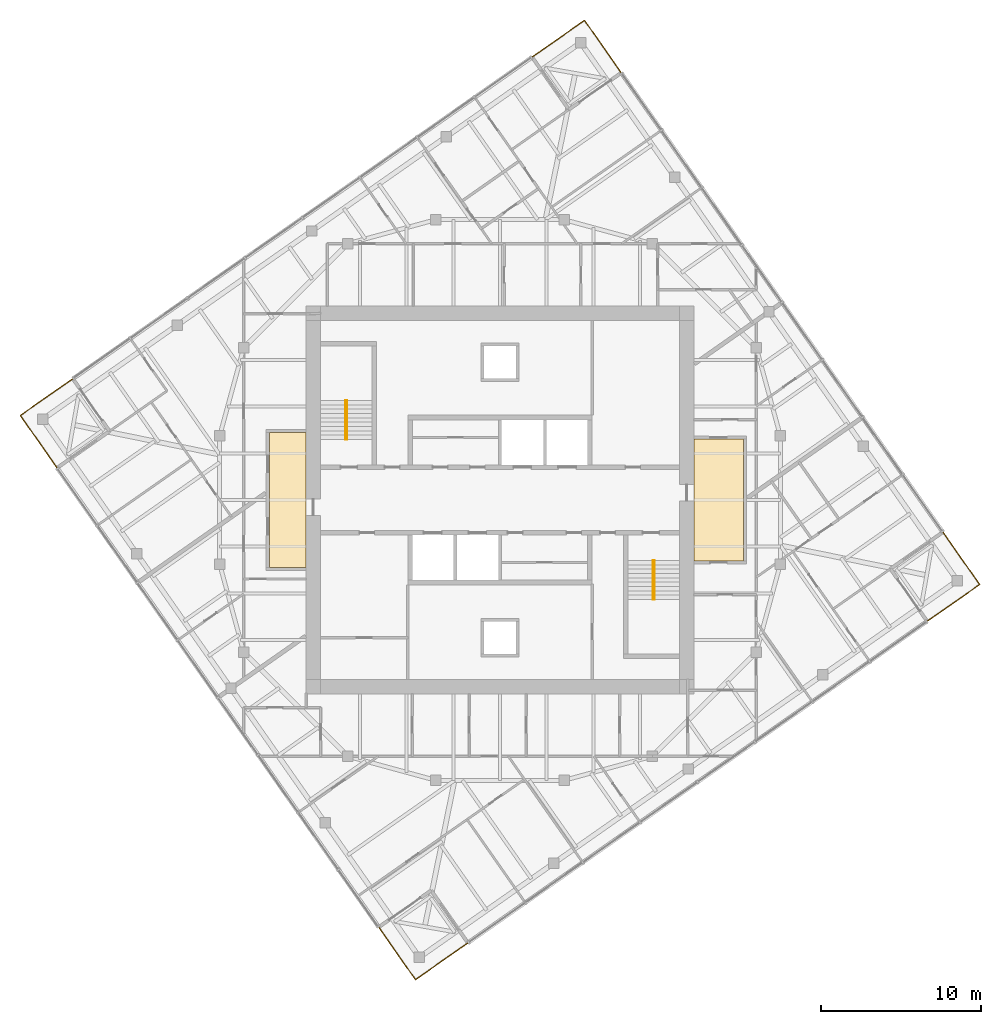
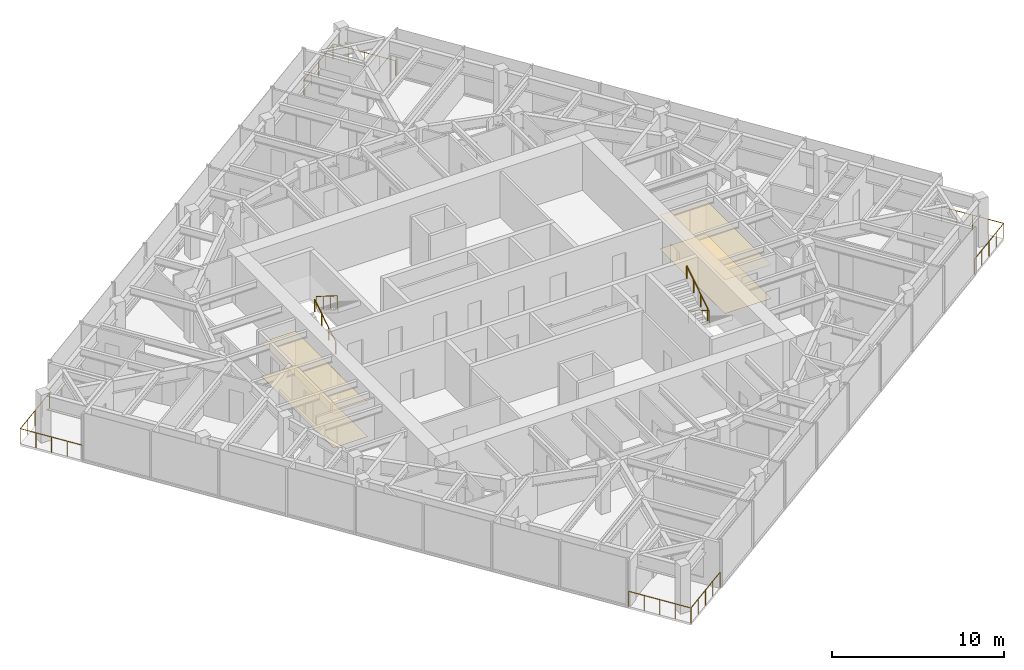
# One storey, part 12 of 12: 8 railings, 4 coverings, 2 elements without a shape of their own.
"""IFC4 building model written with IfcOpenShell, lengths in metres."""

import ifcopenshell
import ifcopenshell.guid

model = None  # the IFC model being written
_history = None  # IfcOwnerHistory: only IFC2X3 demands one
_inside = {}  # id of a spatial element -> (the spatial element, [elements in it])
_under = {}  # id of a project, library or spatial element -> (it, [spatial elements below it])
_declared = {}  # id of a project -> (the project, [libraries it declares])
_typed = {}  # id of a type object -> (the type object, [elements of that type])
_made_of = {}  # id of a material, layer set ... -> (it, [elements and type objects made of it])


def new_model(schema):
    """Start an empty IFC model of exactly this schema.

    Asked for "IFC4X3", IfcOpenShell would pick the latest addendum, in which some entities
    have other attributes; the version numbers below select the first issue.
    IFC2X3 requires an IfcOwnerHistory on every rooted entity: one is made here for all.
    """
    global model, _history
    if schema == "IFC4X3":
        model = ifcopenshell.file(schema_version=(4, 3, 0, 0))
    else:
        model = ifcopenshell.file(schema=schema)
    _inside.clear()
    _under.clear()
    _declared.clear()
    _typed.clear()
    _made_of.clear()
    _history = None
    if model.schema == "IFC2X3":
        org = make("IfcOrganization", Name="unknown")
        user = make(
            "IfcPersonAndOrganization",
            ThePerson=make("IfcPerson", FamilyName="unknown"),
            TheOrganization=org,
        )
        app = make(
            "IfcApplication",
            ApplicationDeveloper=org,
            Version="unknown",
            ApplicationFullName="unknown",
            ApplicationIdentifier="unknown",
        )
        _history = make(
            "IfcOwnerHistory",
            OwningUser=user,
            OwningApplication=app,
            ChangeAction="ADDED",
            CreationDate=0,
        )
    return model


def make(cls, **values):
    """One entity of the class cls with the attributes given. An attribute that is None is left unset."""
    return model.create_entity(
        cls, **{name: value for name, value in values.items() if value is not None}
    )


def rooted(cls, **values):
    """An entity with a GlobalId (a new one), such as an element, a storey or a relation."""
    return make(cls, GlobalId=ifcopenshell.guid.new(), OwnerHistory=_history, **values)


def si_unit(unit_type, name, prefix=None):
    """IfcSIUnit, for example si_unit("LENGTHUNIT", "METRE", prefix="MILLI")."""
    return make("IfcSIUnit", UnitType=unit_type, Prefix=prefix, Name=name)


def assignment(units):
    """IfcUnitAssignment: the units of a project."""
    return None if units is None else make("IfcUnitAssignment", Units=units)


def point(xyz):
    """IfcCartesianPoint."""
    return None if xyz is None else make("IfcCartesianPoint", Coordinates=xyz)


def direction(xyz):
    """IfcDirection."""
    return None if xyz is None else make("IfcDirection", DirectionRatios=xyz)


def frame(location, z_axis=None, x_axis=None):
    """IfcAxis2Placement3D, a coordinate frame: its origin and axes. An axis left out is left unset."""
    return make(
        "IfcAxis2Placement3D",
        Location=point(location),
        Axis=direction(z_axis),
        RefDirection=direction(x_axis),
    )


def frame_2d(location, x_axis=None):
    """IfcAxis2Placement2D, a coordinate frame in the plane: its origin and x axis."""
    return make(
        "IfcAxis2Placement2D", Location=point(location), RefDirection=direction(x_axis)
    )


def origin():
    """The frame at (0, 0, 0) with its axes left unset."""
    return frame((0.0, 0.0, 0.0))


def origin_2d():
    """The frame at (0, 0) in the plane with its x axis left unset."""
    return frame_2d((0.0, 0.0))


def place(relative_to, where):
    """IfcLocalPlacement: puts the frame where relative to a parent placement (None: the world)."""
    return make(
        "IfcLocalPlacement", PlacementRelTo=relative_to, RelativePlacement=where
    )


def context(
    kind, dimensions, precision=None, world=None, true_north=None, identifier=None
):
    """IfcGeometricRepresentationContext, for example the 3D "Model" context."""
    return make(
        "IfcGeometricRepresentationContext",
        ContextIdentifier=identifier,
        ContextType=kind,
        CoordinateSpaceDimension=dimensions,
        Precision=precision,
        WorldCoordinateSystem=world,
        TrueNorth=true_north,
    )


def subcontext(parent, identifier, kind, view, scale=None):
    """IfcGeometricRepresentationSubContext, for example "Body" below "Model"."""
    return make(
        "IfcGeometricRepresentationSubContext",
        ContextIdentifier=identifier,
        ContextType=kind,
        ParentContext=parent,
        TargetScale=scale,
        TargetView=view,
    )


def project(units=None, contexts=None):
    """IfcProject with its units and contexts."""
    return rooted(
        "IfcProject",
        Name="project",
        RepresentationContexts=contexts,
        UnitsInContext=assignment(units),
    )


def spatial(cls, under=None, at=None, **own):
    """A site, building, storey or space (cls), placed at a placement, below another one or the project."""
    s = rooted(cls, ObjectPlacement=at, **own)
    if under is not None:
        _under.setdefault(under.id(), (under, []))[1].append(s)
    return s


def polyline(points):
    """IfcPolyline through the points."""
    return make("IfcPolyline", Points=[point(p) for p in points])


def profile(cls, at=None, kind="AREA", **sizes):
    """A parametric profile (cls). Its sizes go by their IFC names, for example OverallWidth=200.0."""
    return make(cls, ProfileType=kind, Position=at, **sizes)


def circle(**sizes):
    """IfcCircleProfileDef."""
    return profile("IfcCircleProfileDef", **sizes)


def outline(outer, holes=None, kind="AREA"):
    """IfcArbitraryClosedProfileDef: a profile drawn as a closed curve; with holes, ...WithVoids."""
    if holes is None:
        return make("IfcArbitraryClosedProfileDef", ProfileType=kind, OuterCurve=outer)
    return make(
        "IfcArbitraryProfileDefWithVoids",
        ProfileType=kind,
        OuterCurve=outer,
        InnerCurves=holes,
    )


def extrude(swept, where, along, depth):
    """IfcExtrudedAreaSolid: the profile swept, set in the frame where, extruded along a direction by depth."""
    return make(
        "IfcExtrudedAreaSolid",
        SweptArea=swept,
        Position=where,
        ExtrudedDirection=direction(along),
        Depth=depth,
    )


def shape(context_of_items, identifier, shape_type, items):
    """IfcShapeRepresentation: the items that make up one representation, for example the "Body"."""
    return make(
        "IfcShapeRepresentation",
        ContextOfItems=context_of_items,
        RepresentationIdentifier=identifier,
        RepresentationType=shape_type,
        Items=items,
    )


def material(Name=None, Category=None):
    """IfcMaterial."""
    return make("IfcMaterial", Name=Name, Category=Category)


def layer(
    of_material, thickness, ventilated=None, Name=None, Category=None, Priority=None
):
    """IfcMaterialLayer: one layer of a wall or slab, of a material (None: an air gap)."""
    return make(
        "IfcMaterialLayer",
        Material=of_material,
        LayerThickness=thickness,
        IsVentilated=ventilated,
        Name=Name,
        Category=Category,
        Priority=Priority,
    )


def layer_set(layers, Name=None):
    """IfcMaterialLayerSet."""
    return make("IfcMaterialLayerSet", MaterialLayers=layers, LayerSetName=Name)


def made_of(thing, what):
    """Note that an element or type object is made of a material, layer set ...; save() writes the relation."""
    if what is not None:
        _made_of.setdefault(what.id(), (what, []))[1].append(thing)
    return thing


def type_object(cls, material=None, **own):
    """A type object (cls), such as IfcWallType, which elements share."""
    return made_of(rooted(cls, **own), material)


def element(
    cls,
    number,
    at=None,
    inside=None,
    cuts=None,
    type_object=None,
    material=None,
    context=None,
    identifier="Body",
    shape_type=None,
    held_by="IfcProductDefinitionShape",
    body=None,
    shapes=None,
    **own,
):
    """One element of the class cls, such as IfcWall. Its Tag is "e" and its number.

    at: its placement. inside: the storey or other place that contains it. cuts: it is an
    opening in that element (IfcRelVoidsElement). A single representation is given by context,
    identifier, shape_type and body (its items); several are given by shapes. held_by: the class
    of the entity that holds the representations. save() writes the other relations.
    """
    e = rooted(cls, Tag="e%d" % number, ObjectPlacement=at, **own)
    if body is not None:
        shapes = [shape(context, identifier, shape_type, body)]
    if shapes is not None:
        e.Representation = make(held_by, Representations=shapes)
    if inside is not None:
        _inside.setdefault(inside.id(), (inside, []))[1].append(e)
    if cuts is not None:
        rooted(
            "IfcRelVoidsElement", RelatingBuildingElement=cuts, RelatedOpeningElement=e
        )
    if type_object is not None:
        _typed.setdefault(type_object.id(), (type_object, []))[1].append(e)
    return made_of(e, material)


def aggregate(whole, parts):
    """IfcRelAggregates: a whole, such as a stair, and the parts it consists of."""
    return rooted("IfcRelAggregates", RelatingObject=whole, RelatedObjects=parts)


def save(model, path):
    """Write the relations noted so far, then the file.

    IfcRelAggregates (storeys below a building ...), IfcRelContainedInSpatialStructure (elements
    in a storey), IfcRelDefinesByType, IfcRelAssociatesMaterial and IfcRelDeclares: one each for
    every whole, place, type object, material and project.
    """
    for whole, parts in _under.values():
        aggregate(whole, parts)
    for where, things in _inside.values():
        rooted(
            "IfcRelContainedInSpatialStructure",
            RelatedElements=things,
            RelatingStructure=where,
        )
    for kind, things in _typed.values():
        rooted("IfcRelDefinesByType", RelatedObjects=things, RelatingType=kind)
    for what, things in _made_of.values():
        rooted("IfcRelAssociatesMaterial", RelatedObjects=things, RelatingMaterial=what)
    for by, libraries in _declared.values():
        rooted("IfcRelDeclares", RelatingContext=by, RelatedDefinitions=libraries)
    model.write(path)


model = new_model("IFC4")

# Units and contexts
model_context = context("Model", 3, precision=1e-05, world=origin(), true_north=direction((0.0, 1.0)))
body_context = subcontext(model_context, "Body", "Model", "MODEL_VIEW")
ifc_project = project(units=[si_unit("LENGTHUNIT", "METRE"), si_unit("AREAUNIT", "SQUARE_METRE"), si_unit("VOLUMEUNIT", "CUBIC_METRE"), si_unit("PLANEANGLEUNIT", "RADIAN"), si_unit("MASSUNIT", "GRAM", prefix="KILO")], contexts=[model_context])

# Site, building, storey
site_placement = place(None, origin())
site = spatial("IfcSite", under=ifc_project, at=site_placement, CompositionType="ELEMENT")
building_placement = place(site_placement, origin())
building = spatial("IfcBuilding", under=site, at=building_placement, Name="Torsade Residences", CompositionType="ELEMENT")
storey_placement = place(building_placement, frame((0.0, 0.0, 257.39990234375)))
storey = spatial("IfcBuildingStorey", under=building, at=storey_placement, Name="L71", CompositionType="ELEMENT", Elevation=257.39990234375)

# Coverings
ifc_material_1 = material(Name="Nylon carpet tile on underlay", Category="textile")
ifc_layer_1 = layer(ifc_material_1, 0.010009765625)
ifc_layer_set_1 = layer_set([ifc_layer_1], Name="Nylon carpet tile on underlay")
covering_type_1 = type_object("IfcCoveringType", Name="CORRIDOR CARPET TILE 10", PredefinedType="FLOORING", material=ifc_layer_set_1)
covering_1_placement = place(storey_placement, origin())
element("IfcCovering", 1, at=covering_1_placement, inside=storey, type_object=covering_type_1, Name="Corridor carpet L71", PredefinedType="FLOORING", context=body_context, shape_type="SweptSolid", body=[
    extrude(outline(polyline([(55.199951171875, 26.199951171875), (55.199951171875, 33.800048828125), (52.10009765625, 33.800048828125), (52.10009765625, 26.199951171875), (55.199951171875, 26.199951171875)])), origin(), (0.0, 0.0, 1.0), 0.010009765625),
])
covering_2_placement = place(storey_placement, origin())
element("IfcCovering", 2, at=covering_2_placement, inside=storey, type_object=covering_type_1, Name="Corridor carpet west L71", PredefinedType="FLOORING", context=body_context, shape_type="SweptSolid", body=[
    extrude(outline(polyline([(27.89990234375, 25.800048828125), (27.89990234375, 34.199951171875), (25.60009765625, 34.199951171875), (25.60009765625, 25.800048828125), (27.89990234375, 25.800048828125)])), origin(), (0.0, 0.0, 1.0), 0.010009765625),
])
ifc_material_2 = material(Name="Plasterboard on suspended steel grid", Category="steel")
ifc_layer_2 = layer(ifc_material_2, 0.012939453125)
ifc_layer_set_2 = layer_set([ifc_layer_2], Name="Plasterboard on suspended steel grid")
covering_type_2 = type_object("IfcCoveringType", Name="CORRIDOR SUSPENDED CEILING 13", PredefinedType="CEILING", material=ifc_layer_set_2)
covering_3_placement = place(storey_placement, frame((0.0, 0.0, 2.400146484375)))
element("IfcCovering", 3, at=covering_3_placement, inside=storey, type_object=covering_type_2, Name="Corridor ceiling L71", PredefinedType="CEILING", context=body_context, shape_type="SweptSolid", body=[
    extrude(outline(polyline([(55.199951171875, 26.199951171875), (55.199951171875, 33.800048828125), (52.10009765625, 33.800048828125), (52.10009765625, 26.199951171875), (55.199951171875, 26.199951171875)])), origin(), (0.0, 0.0, 1.0), 0.012939453125),
])
covering_4_placement = place(storey_placement, frame((0.0, 0.0, 2.400146484375)))
element("IfcCovering", 4, at=covering_4_placement, inside=storey, type_object=covering_type_2, Name="Corridor ceiling west L71", PredefinedType="CEILING", context=body_context, shape_type="SweptSolid", body=[
    extrude(outline(polyline([(27.89990234375, 25.800048828125), (27.89990234375, 34.199951171875), (25.60009765625, 34.199951171875), (25.60009765625, 25.800048828125), (27.89990234375, 25.800048828125)])), origin(), (0.0, 0.0, 1.0), 0.012939453125),
])

# Stair, railings
ifc_material_3 = material(Name="Precast concrete 40 MPa", Category="concrete")
stair_type = type_object("IfcStairType", Name="HALF-TURN FIRE STAIR 1500x3400", PredefinedType="HALF_TURN_STAIR", material=ifc_material_3)
stair_1_placement = place(storey_placement, origin())
stair_1 = element("IfcStair", 5, at=stair_1_placement, inside=storey, type_object=stair_type, Name="Stair ST1 L71", PredefinedType="HALF_TURN_STAIR")
ifc_material_4 = material(Name="Steel handrail", Category="steel")
railing_type_1 = type_object("IfcRailingType", Name="STAIR HANDRAIL 900", PredefinedType="HANDRAIL", material=ifc_material_4)
railing_1_placement = place(storey_placement, frame((30.35009765625, 33.780029296875, 0.170166015625)))
railing_1 = element("IfcRailing", 6, at=railing_1_placement, type_object=railing_type_1, Name="Handrail ST1 flight 1 L71", PredefinedType="HANDRAIL", context=body_context, shape_type="SweptSolid", body=[
    extrude(circle(Radius=0.02392578125, at=origin_2d()), frame((0.0, 0.0, 0.8759765625), z_axis=(0.0, 0.846221481393, 0.532831309544), x_axis=(-1.0, 0.0, 0.0)), (0.0, 0.0, 1.0), 2.87158203125),
    extrude(circle(Radius=0.02099609375, at=origin_2d()), origin(), (0.0, 0.0, 1.0), 0.851806640625),
    extrude(circle(Radius=0.02099609375, at=origin_2d()), frame((0.0, 0.81005859375, 0.510009765625)), (0.0, 0.0, 1.0), 0.851806640625),
    extrude(circle(Radius=0.02099609375, at=origin_2d()), frame((0.0, 1.619873046875, 1.02001953125)), (0.0, 0.0, 1.0), 0.851806640625),
    extrude(circle(Radius=0.02099609375, at=origin_2d()), frame((0.0, 2.429931640625, 1.530029296875)), (0.0, 0.0, 1.0), 0.851806640625),
])
railing_2_placement = place(storey_placement, frame((30.449951171875, 36.2099609375, 1.8701171875)))
railing_2 = element("IfcRailing", 7, at=railing_2_placement, type_object=railing_type_1, Name="Handrail ST1 flight 2 L71", PredefinedType="HANDRAIL", context=body_context, shape_type="SweptSolid", body=[
    extrude(circle(Radius=0.02392578125, at=origin_2d()), frame((0.0, 0.0, 0.8759765625), z_axis=(0.0, -0.846221481393, 0.532831309544), x_axis=(1.0, 0.0, 0.0)), (0.0, 0.0, 1.0), 2.87158203125),
    extrude(circle(Radius=0.02099609375, at=origin_2d()), origin(), (0.0, 0.0, 1.0), 0.851806640625),
    extrude(circle(Radius=0.02099609375, at=origin_2d()), frame((0.0, -0.81005859375, 0.510009765625)), (0.0, 0.0, 1.0), 0.851806640625),
    extrude(circle(Radius=0.02099609375, at=origin_2d()), frame((0.0, -1.619873046875, 1.02001953125)), (0.0, 0.0, 1.0), 0.851806640625),
    extrude(circle(Radius=0.02099609375, at=origin_2d()), frame((0.0, -2.429931640625, 1.530029296875)), (0.0, 0.0, 1.0), 0.851806640625),
])
aggregate(stair_1, [railing_1, railing_2])

stair_2_placement = place(storey_placement, origin())
stair_2 = element("IfcStair", 8, at=stair_2_placement, inside=storey, type_object=stair_type, Name="Stair ST2 L71", PredefinedType="HALF_TURN_STAIR")
railing_3_placement = place(storey_placement, frame((49.64990234375, 26.219970703125, 0.170166015625)))
railing_3 = element("IfcRailing", 9, at=railing_3_placement, type_object=railing_type_1, Name="Handrail ST2 flight 1 L71", PredefinedType="HANDRAIL", context=body_context, shape_type="SweptSolid", body=[
    extrude(circle(Radius=0.02392578125, at=origin_2d()), frame((0.0, 0.0, 0.8759765625), z_axis=(0.0, -0.846221481393, 0.532831309544), x_axis=(1.0, 0.0, 0.0)), (0.0, 0.0, 1.0), 2.87158203125),
    extrude(circle(Radius=0.02099609375, at=origin_2d()), origin(), (0.0, 0.0, 1.0), 0.851806640625),
    extrude(circle(Radius=0.02099609375, at=origin_2d()), frame((0.0, -0.81005859375, 0.510009765625)), (0.0, 0.0, 1.0), 0.851806640625),
    extrude(circle(Radius=0.02099609375, at=origin_2d()), frame((0.0, -1.619873046875, 1.02001953125)), (0.0, 0.0, 1.0), 0.851806640625),
    extrude(circle(Radius=0.02099609375, at=origin_2d()), frame((0.0, -2.429931640625, 1.530029296875)), (0.0, 0.0, 1.0), 0.851806640625),
])
railing_4_placement = place(storey_placement, frame((49.550048828125, 23.7900390625, 1.8701171875)))
railing_4 = element("IfcRailing", 10, at=railing_4_placement, type_object=railing_type_1, Name="Handrail ST2 flight 2 L71", PredefinedType="HANDRAIL", context=body_context, shape_type="SweptSolid", body=[
    extrude(circle(Radius=0.02392578125, at=origin_2d()), frame((0.0, 0.0, 0.8759765625), z_axis=(0.0, 0.846221481393, 0.532831309544), x_axis=(-1.0, 0.0, 0.0)), (0.0, 0.0, 1.0), 2.87158203125),
    extrude(circle(Radius=0.02099609375, at=origin_2d()), origin(), (0.0, 0.0, 1.0), 0.851806640625),
    extrude(circle(Radius=0.02099609375, at=origin_2d()), frame((0.0, 0.81005859375, 0.510009765625)), (0.0, 0.0, 1.0), 0.851806640625),
    extrude(circle(Radius=0.02099609375, at=origin_2d()), frame((0.0, 1.619873046875, 1.02001953125)), (0.0, 0.0, 1.0), 0.851806640625),
    extrude(circle(Radius=0.02099609375, at=origin_2d()), frame((0.0, 2.429931640625, 1.530029296875)), (0.0, 0.0, 1.0), 0.851806640625),
])
aggregate(stair_2, [railing_3, railing_4])

# Railings
ifc_material_5 = material(Name="Laminated glass balustrade", Category="glass")
railing_type_2 = type_object("IfcRailingType", Name="TERRACE GLASS BALUSTRADE 1100", PredefinedType="BALUSTRADE", material=ifc_material_5)
railing_5_placement = place(storey_placement, frame((66.6669921875, 22.42578125, 0.0)))
element("IfcRailing", 11, at=railing_5_placement, inside=storey, type_object=railing_type_2, Name="Terrace balustrade SE L71", PredefinedType="BALUSTRADE", context=body_context, shape_type="SweptSolid", body=[
    extrude(circle(Radius=0.02392578125, at=origin_2d()), frame((0.0, 0.0, 1.076171875), z_axis=(0.819137286189, 0.573597512525, 0.0), x_axis=(-0.573597512525, 0.819137286189, 0.0)), (0.0, 0.0, 1.0), 4.0),
    extrude(circle(Radius=0.02392578125, at=origin_2d()), frame((3.276611328125, 2.29443359375, 1.076171875), z_axis=(-0.573556557423, 0.819165963305, 0.0), x_axis=(-0.819165963305, -0.573556557423, 0.0)), (0.0, 0.0, 1.0), 4.0),
    extrude(circle(Radius=0.02099609375, at=origin_2d()), origin(), (0.0, 0.0, 1.0), 1.052001953125),
    extrude(circle(Radius=0.02099609375, at=origin_2d()), frame((0.819091796875, 0.57373046875, 0.0)), (0.0, 0.0, 1.0), 1.052001953125),
    extrude(circle(Radius=0.02099609375, at=origin_2d()), frame((1.63818359375, 1.147216796875, 0.0)), (0.0, 0.0, 1.0), 1.052001953125),
    extrude(circle(Radius=0.02099609375, at=origin_2d()), frame((2.45751953125, 1.720703125, 0.0)), (0.0, 0.0, 1.0), 1.052001953125),
    extrude(circle(Radius=0.02099609375, at=origin_2d()), frame((3.276611328125, 2.29443359375, 0.0)), (0.0, 0.0, 1.0), 1.052001953125),
    extrude(circle(Radius=0.02099609375, at=origin_2d()), frame((2.703125, 3.113525390625, 0.0)), (0.0, 0.0, 1.0), 1.052001953125),
    extrude(circle(Radius=0.02099609375, at=origin_2d()), frame((2.12939453125, 3.9326171875, 0.0)), (0.0, 0.0, 1.0), 1.052001953125),
    extrude(circle(Radius=0.02099609375, at=origin_2d()), frame((1.555908203125, 4.751953125, 0.0)), (0.0, 0.0, 1.0), 1.052001953125),
    extrude(circle(Radius=0.02099609375, at=origin_2d()), frame((0.982421875, 5.571044921875, 0.0)), (0.0, 0.0, 1.0), 1.052001953125),
])
railing_6_placement = place(storey_placement, frame((47.57421875, 56.6669921875, 0.0)))
element("IfcRailing", 12, at=railing_6_placement, inside=storey, type_object=railing_type_2, Name="Terrace balustrade NE L71", PredefinedType="BALUSTRADE", context=body_context, shape_type="SweptSolid", body=[
    extrude(circle(Radius=0.02392578125, at=origin_2d()), frame((0.0, 0.0, 1.076171875), z_axis=(-0.573597512525, 0.819137286189, 0.0), x_axis=(-0.819137286189, -0.573597512525, 0.0)), (0.0, 0.0, 1.0), 4.0),
    extrude(circle(Radius=0.02392578125, at=origin_2d()), frame((-2.29443359375, 3.276611328125, 1.076171875), z_axis=(-0.819165963305, -0.573556557423, 0.0), x_axis=(0.573556557423, -0.819165963305, 0.0)), (0.0, 0.0, 1.0), 4.0),
    extrude(circle(Radius=0.02099609375, at=origin_2d()), origin(), (0.0, 0.0, 1.0), 1.052001953125),
    extrude(circle(Radius=0.02099609375, at=origin_2d()), frame((-0.57373046875, 0.819091796875, 0.0)), (0.0, 0.0, 1.0), 1.052001953125),
    extrude(circle(Radius=0.02099609375, at=origin_2d()), frame((-1.147216796875, 1.63818359375, 0.0)), (0.0, 0.0, 1.0), 1.052001953125),
    extrude(circle(Radius=0.02099609375, at=origin_2d()), frame((-1.720703125, 2.45751953125, 0.0)), (0.0, 0.0, 1.0), 1.052001953125),
    extrude(circle(Radius=0.02099609375, at=origin_2d()), frame((-2.29443359375, 3.276611328125, 0.0)), (0.0, 0.0, 1.0), 1.052001953125),
    extrude(circle(Radius=0.02099609375, at=origin_2d()), frame((-3.113525390625, 2.703125, 0.0)), (0.0, 0.0, 1.0), 1.052001953125),
    extrude(circle(Radius=0.02099609375, at=origin_2d()), frame((-3.9326171875, 2.12939453125, 0.0)), (0.0, 0.0, 1.0), 1.052001953125),
    extrude(circle(Radius=0.02099609375, at=origin_2d()), frame((-4.751953125, 1.555908203125, 0.0)), (0.0, 0.0, 1.0), 1.052001953125),
    extrude(circle(Radius=0.02099609375, at=origin_2d()), frame((-5.571044921875, 0.982421875, 0.0)), (0.0, 0.0, 1.0), 1.052001953125),
])
railing_7_placement = place(storey_placement, frame((13.3330078125, 37.57421875, 0.0)))
element("IfcRailing", 13, at=railing_7_placement, inside=storey, type_object=railing_type_2, Name="Terrace balustrade NW L71", PredefinedType="BALUSTRADE", context=body_context, shape_type="SweptSolid", body=[
    extrude(circle(Radius=0.02392578125, at=origin_2d()), frame((0.0, 0.0, 1.076171875), z_axis=(-0.819137286189, -0.573597512525, 0.0), x_axis=(0.573597512525, -0.819137286189, 0.0)), (0.0, 0.0, 1.0), 4.0),
    extrude(circle(Radius=0.02392578125, at=origin_2d()), frame((-3.276611328125, -2.29443359375, 1.076171875), z_axis=(0.573556557423, -0.819165963305, 0.0), x_axis=(0.819165963305, 0.573556557423, 0.0)), (0.0, 0.0, 1.0), 4.0),
    extrude(circle(Radius=0.02099609375, at=origin_2d()), origin(), (0.0, 0.0, 1.0), 1.052001953125),
    extrude(circle(Radius=0.02099609375, at=origin_2d()), frame((-0.819091796875, -0.57373046875, 0.0)), (0.0, 0.0, 1.0), 1.052001953125),
    extrude(circle(Radius=0.02099609375, at=origin_2d()), frame((-1.63818359375, -1.147216796875, 0.0)), (0.0, 0.0, 1.0), 1.052001953125),
    extrude(circle(Radius=0.02099609375, at=origin_2d()), frame((-2.45751953125, -1.720703125, 0.0)), (0.0, 0.0, 1.0), 1.052001953125),
    extrude(circle(Radius=0.02099609375, at=origin_2d()), frame((-3.276611328125, -2.29443359375, 0.0)), (0.0, 0.0, 1.0), 1.052001953125),
    extrude(circle(Radius=0.02099609375, at=origin_2d()), frame((-2.703125, -3.113525390625, 0.0)), (0.0, 0.0, 1.0), 1.052001953125),
    extrude(circle(Radius=0.02099609375, at=origin_2d()), frame((-2.12939453125, -3.9326171875, 0.0)), (0.0, 0.0, 1.0), 1.052001953125),
    extrude(circle(Radius=0.02099609375, at=origin_2d()), frame((-1.555908203125, -4.751953125, 0.0)), (0.0, 0.0, 1.0), 1.052001953125),
    extrude(circle(Radius=0.02099609375, at=origin_2d()), frame((-0.982421875, -5.571044921875, 0.0)), (0.0, 0.0, 1.0), 1.052001953125),
])
railing_8_placement = place(storey_placement, frame((32.42578125, 3.3330078125, 0.0)))
element("IfcRailing", 14, at=railing_8_placement, inside=storey, type_object=railing_type_2, Name="Terrace balustrade SW L71", PredefinedType="BALUSTRADE", context=body_context, shape_type="SweptSolid", body=[
    extrude(circle(Radius=0.02392578125, at=origin_2d()), frame((0.0, 0.0, 1.076171875), z_axis=(0.573597512525, -0.819137286189, 0.0), x_axis=(0.819137286189, 0.573597512525, 0.0)), (0.0, 0.0, 1.0), 4.0),
    extrude(circle(Radius=0.02392578125, at=origin_2d()), frame((2.29443359375, -3.276611328125, 1.076171875), z_axis=(0.819165963305, 0.573556557423, 0.0), x_axis=(-0.573556557423, 0.819165963305, 0.0)), (0.0, 0.0, 1.0), 4.0),
    extrude(circle(Radius=0.02099609375, at=origin_2d()), origin(), (0.0, 0.0, 1.0), 1.052001953125),
    extrude(circle(Radius=0.02099609375, at=origin_2d()), frame((0.57373046875, -0.819091796875, 0.0)), (0.0, 0.0, 1.0), 1.052001953125),
    extrude(circle(Radius=0.02099609375, at=origin_2d()), frame((1.147216796875, -1.63818359375, 0.0)), (0.0, 0.0, 1.0), 1.052001953125),
    extrude(circle(Radius=0.02099609375, at=origin_2d()), frame((1.720703125, -2.45751953125, 0.0)), (0.0, 0.0, 1.0), 1.052001953125),
    extrude(circle(Radius=0.02099609375, at=origin_2d()), frame((2.29443359375, -3.276611328125, 0.0)), (0.0, 0.0, 1.0), 1.052001953125),
    extrude(circle(Radius=0.02099609375, at=origin_2d()), frame((3.113525390625, -2.703125, 0.0)), (0.0, 0.0, 1.0), 1.052001953125),
    extrude(circle(Radius=0.02099609375, at=origin_2d()), frame((3.9326171875, -2.12939453125, 0.0)), (0.0, 0.0, 1.0), 1.052001953125),
    extrude(circle(Radius=0.02099609375, at=origin_2d()), frame((4.751953125, -1.555908203125, 0.0)), (0.0, 0.0, 1.0), 1.052001953125),
    extrude(circle(Radius=0.02099609375, at=origin_2d()), frame((5.571044921875, -0.982421875, 0.0)), (0.0, 0.0, 1.0), 1.052001953125),
])

save(model, "model.ifc")
